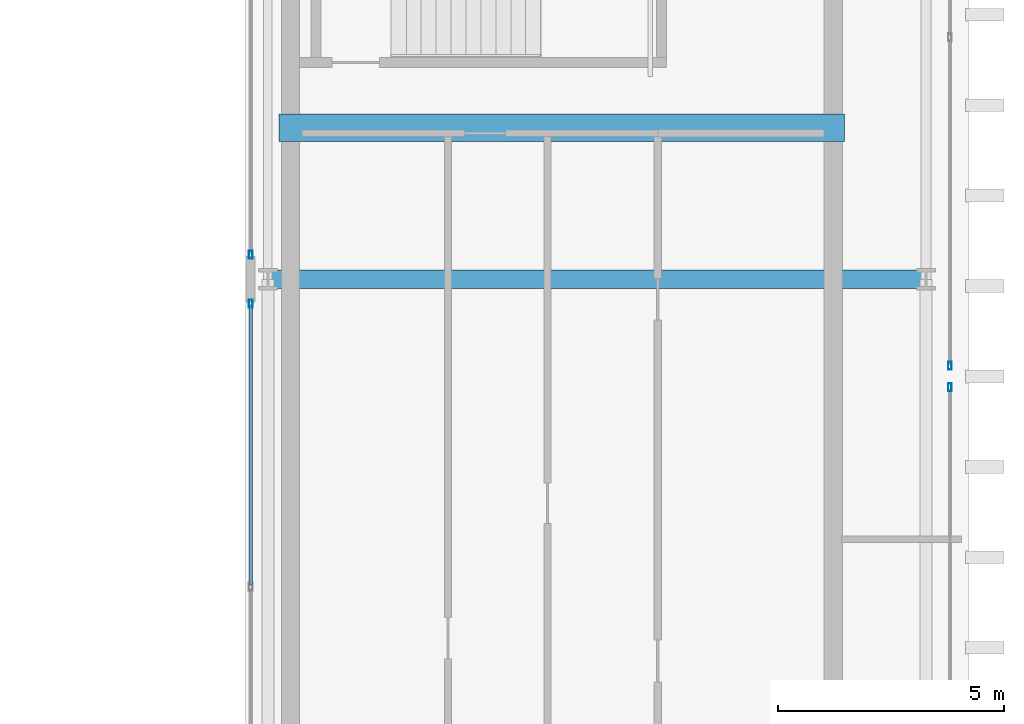
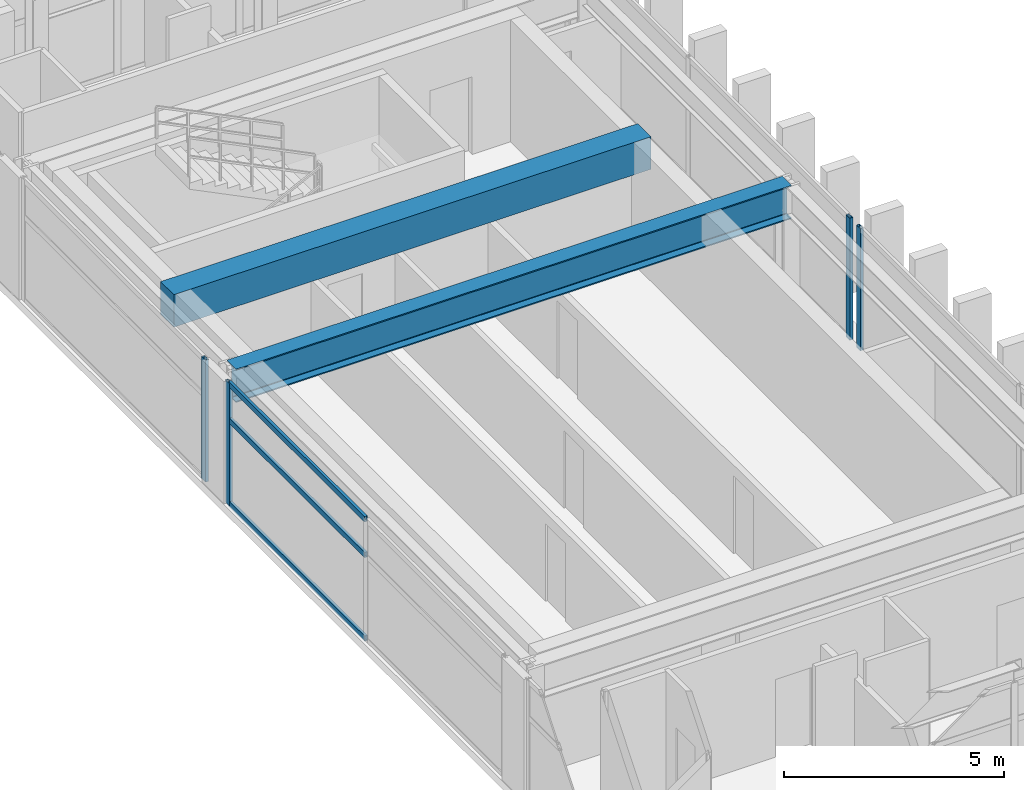
# One storey, part 11 of 25: 7 members, 2 beams, 4 elements without a shape of their own.
"""IFC4 building model written with IfcOpenShell, lengths in metres."""

from ifc_helpers import new_model, si_unit, direction, frame, origin, origin_2d, place, context, subcontext, project, spatial, rectangle, hollow_rectangle, i_section, extrude, source, transform, mapped, material, layer, layer_set, material_profile, profile_set, type_object, element, aggregate, save


model = new_model("IFC4")

# Units and contexts
model_context = context("Model", 3, precision=1e-05, world=origin(), true_north=direction((0.0, 1.0)))
body_context = subcontext(model_context, "Body", "Model", "MODEL_VIEW")
ifc_project = project(units=[si_unit("LENGTHUNIT", "METRE"), si_unit("AREAUNIT", "SQUARE_METRE"), si_unit("VOLUMEUNIT", "CUBIC_METRE"), si_unit("PLANEANGLEUNIT", "RADIAN"), si_unit("MASSUNIT", "GRAM", prefix="KILO")], contexts=[model_context])

# Site, building, storey
site_placement = place(None, origin())
site = spatial("IfcSite", under=ifc_project, at=site_placement, CompositionType="ELEMENT")
building_placement = place(site_placement, origin())
building = spatial("IfcBuilding", under=site, at=building_placement, Name="Ocotamira Hotel", CompositionType="ELEMENT")
storey_placement = place(building_placement, frame((0.0, 0.0, 254.39990234375)))
storey = spatial("IfcBuildingStorey", under=building, at=storey_placement, Name="L64", CompositionType="ELEMENT", Elevation=254.39990234375)

# Beams
ifc_material_1 = material(Name="Concrete C50/60", Category="concrete")
ifc_material_profile_1 = material_profile(ifc_material_1, rectangle(XDim=0.60009765625, YDim=0.89990234375, at=origin_2d()), Name="RC600X900")
ifc_profile_set_1 = profile_set([ifc_material_profile_1], Name="Concrete C50/60")
beam_type_1 = type_object("IfcBeamType", Name="BM-LINK-RC600", PredefinedType="LINTEL", material=ifc_profile_set_1)
shared_shape_1 = source(origin(), body_context, "Body", "SweptSolid", [
    extrude(rectangle(XDim=0.60009765625, YDim=0.89990234375, at=origin_2d()), origin(), (0.0, 0.0, 1.0), 12.5),
])
beam_1_placement = place(storey_placement, frame((40.75, 31.5, 2.93017578125), z_axis=(1.0, 0.0, 0.0), x_axis=(0.0, 1.0, 0.0)))
element("IfcBeam", 1, at=beam_1_placement, inside=storey, type_object=beam_type_1, Name="L64 East Core Coupling Beam", PredefinedType="LINTEL", context=body_context, shape_type="MappedRepresentation", body=[
    mapped(shared_shape_1, transform((0.0, 0.0, 0.0), scale=1.0)),
])
ifc_material_2 = material(Name="Steel ASTM A992 Grade 50", Category="steel")
ifc_material_profile_2 = material_profile(ifc_material_2, i_section(OverallWidth=0.41796875, OverallDepth=0.927001953125, WebThickness=0.019287109375, FlangeThickness=0.031982421875, FilletRadius=0.02392578125, at=origin_2d()), Name="W36X231")
ifc_profile_set_2 = profile_set([ifc_material_profile_2], Name="Steel ASTM A992 Grade 50")
beam_type_2 = type_object("IfcBeamType", Name="BM-GIRD-W36X231", PredefinedType="BEAM", material=ifc_profile_set_2)
shared_shape_2 = source(origin(), body_context, "Body", "SweptSolid", [
    extrude(i_section(OverallWidth=0.41796875, OverallDepth=0.927001953125, WebThickness=0.019287109375, FlangeThickness=0.031982421875, FilletRadius=0.02392578125, at=origin_2d()), origin(), (0.0, 0.0, 1.0), 14.550048828125),
])
beam_2_placement = place(storey_placement, frame((40.5, 28.14990234375, 2.91650390625), z_axis=(1.0, 0.0, 0.0), x_axis=(0.0, 1.0, 0.0)))
element("IfcBeam", 2, at=beam_2_placement, inside=storey, type_object=beam_type_2, Name="L64 Girder Y28.15 X40.5-55.05", PredefinedType="BEAM", context=body_context, shape_type="MappedRepresentation", body=[
    mapped(shared_shape_2, transform((0.0, 0.0, 0.0), scale=1.0)),
])

# Curtain wall, member
ifc_material_3 = material(Name="Anodised pale-metal aluminium and solar glass", Category="aluminium")
ifc_layer = layer(ifc_material_3, 0.2099609375)
ifc_layer_set = layer_set([ifc_layer], Name="Anodised pale-metal aluminium and solar glass")
curtain_wall_type = type_object("IfcCurtainWallType", Name="CW-SYS7-PEAK", PredefinedType="NOTDEFINED", material=ifc_layer_set)
curtain_wall_1_placement = place(storey_placement, origin())
curtain_wall_1 = element("IfcCurtainWall", 3, at=curtain_wall_1_placement, inside=storey, type_object=curtain_wall_type, Name="L64 Curtain Wall CW-7 CW-L64-EO1", PredefinedType="NOTDEFINED")
ifc_material_4 = material(Name="Anodised pale-metal aluminium 6063-T6", Category="aluminium")
ifc_material_profile_3 = material_profile(ifc_material_4, hollow_rectangle(XDim=0.080078125, YDim=0.179931640625, WallThickness=0.006103515625, at=origin_2d()), Name="HSS180X80X6")
ifc_profile_set_3 = profile_set([ifc_material_profile_3], Name="Anodised pale-metal aluminium 6063-T6")
member_type_1 = type_object("IfcMemberType", Name="CWM-180X75", PredefinedType="MULLION", material=ifc_profile_set_3)
shared_shape_3 = source(origin(), body_context, "Body", "SweptSolid", [
    extrude(hollow_rectangle(XDim=0.080078125, YDim=0.179931640625, WallThickness=0.006103515625, at=origin_2d()), origin(), (0.0, 0.0, 1.0), 3.380126953125),
])
member_1_placement = place(storey_placement, frame((55.580078125, 25.760009765625, 0.0), z_axis=(0.0, 0.0, 1.0), x_axis=(-1.0, 0.0, 0.0)))
member_1 = element("IfcMember", 4, at=member_1_placement, type_object=member_type_1, Name="CW-7 mullion 3", PredefinedType="MULLION", context=body_context, shape_type="MappedRepresentation", body=[
    mapped(shared_shape_3, transform((0.0, 0.0, 0.0), scale=1.0)),
])
aggregate(curtain_wall_1, [member_1])

curtain_wall_2_placement = place(storey_placement, origin())
curtain_wall_2 = element("IfcCurtainWall", 5, at=curtain_wall_2_placement, inside=storey, type_object=curtain_wall_type, Name="L64 Curtain Wall CW-7 CW-L64-EO2", PredefinedType="NOTDEFINED")
member_2_placement = place(storey_placement, frame((55.580078125, 26.239990234375, 0.0), z_axis=(0.0, 0.0, 1.0), x_axis=(-1.0, 0.0, 0.0)))
member_2 = element("IfcMember", 6, at=member_2_placement, type_object=member_type_1, Name="CW-7 mullion 1", PredefinedType="MULLION", context=body_context, shape_type="MappedRepresentation", body=[
    mapped(shared_shape_3, transform((0.0, 0.0, 0.0), scale=1.0)),
])
aggregate(curtain_wall_2, [member_2])

curtain_wall_3_placement = place(storey_placement, origin())
curtain_wall_3 = element("IfcCurtainWall", 7, at=curtain_wall_3_placement, inside=storey, type_object=curtain_wall_type, Name="L64 Curtain Wall CW-7 CW-L64-EI2", PredefinedType="NOTDEFINED")
member_3_placement = place(storey_placement, frame((40.1201171875, 27.610107421875, 0.0), z_axis=(0.0, 0.0, 1.0), x_axis=(-1.0, 0.0, 0.0)))
member_3 = element("IfcMember", 8, at=member_3_placement, type_object=member_type_1, Name="CW-7 mullion 3", PredefinedType="MULLION", context=body_context, shape_type="MappedRepresentation", body=[
    mapped(shared_shape_3, transform((0.0, 0.0, 0.0), scale=1.0)),
])

curtain_wall_4_placement = place(storey_placement, origin())
curtain_wall_4 = element("IfcCurtainWall", 9, at=curtain_wall_4_placement, inside=storey, type_object=curtain_wall_type, Name="L64 Curtain Wall CW-7 CW-L64-EI3", PredefinedType="NOTDEFINED")
member_4_placement = place(storey_placement, frame((40.1201171875, 28.68994140625, 0.0), z_axis=(0.0, 0.0, 1.0), x_axis=(-1.0, 0.0, 0.0)))
member_4 = element("IfcMember", 10, at=member_4_placement, type_object=member_type_1, Name="CW-7 mullion 1", PredefinedType="MULLION", context=body_context, shape_type="MappedRepresentation", body=[
    mapped(shared_shape_3, transform((0.0, 0.0, 0.0), scale=1.0)),
])
aggregate(curtain_wall_4, [member_4])

# Member
ifc_material_profile_4 = material_profile(ifc_material_4, hollow_rectangle(XDim=0.074951171875, YDim=0.14990234375, WallThickness=0.006103515625, at=origin_2d()), Name="HSS150X75X6")
ifc_profile_set_4 = profile_set([ifc_material_profile_4], Name="Anodised pale-metal aluminium 6063-T6")
member_type_2 = type_object("IfcMemberType", Name="CWT-150X75", PredefinedType="USERDEFINED", material=ifc_profile_set_4)
shared_shape_4 = source(origin(), body_context, "Body", "SweptSolid", [
    extrude(hollow_rectangle(XDim=0.074951171875, YDim=0.14990234375, WallThickness=0.006103515625, at=origin_2d()), origin(), (0.0, 0.0, 1.0), 6.18017578125),
])
member_5_placement = place(storey_placement, frame((40.1201171875, 21.389892578125, 0.03759765625), z_axis=(0.0, 1.0, 0.0), x_axis=(-1.0, 0.0, 0.0)))
member_5 = element("IfcMember", 11, at=member_5_placement, type_object=member_type_2, Name="CW-7 transom 2.1", ObjectType="TRANSOM", PredefinedType="USERDEFINED", context=body_context, shape_type="MappedRepresentation", body=[
    mapped(shared_shape_4, transform((0.0, 0.0, 0.0), scale=1.0)),
])

member_6_placement = place(storey_placement, frame((40.1201171875, 21.389892578125, 2.35009765625), z_axis=(0.0, 1.0, 0.0), x_axis=(-1.0, 0.0, 0.0)))
member_6 = element("IfcMember", 12, at=member_6_placement, type_object=member_type_2, Name="CW-7 transom 2.2", ObjectType="TRANSOM", PredefinedType="USERDEFINED", context=body_context, shape_type="MappedRepresentation", body=[
    mapped(shared_shape_4, transform((0.0, 0.0, 0.0), scale=1.0)),
])

member_7_placement = place(storey_placement, frame((40.1201171875, 21.389892578125, 3.342529296875), z_axis=(0.0, 1.0, 0.0), x_axis=(-1.0, 0.0, 0.0)))
member_7 = element("IfcMember", 13, at=member_7_placement, type_object=member_type_2, Name="CW-7 transom 2.3", ObjectType="TRANSOM", PredefinedType="USERDEFINED", context=body_context, shape_type="MappedRepresentation", body=[
    mapped(shared_shape_4, transform((0.0, 0.0, 0.0), scale=1.0)),
])

aggregate(curtain_wall_3, [member_3, member_5, member_6, member_7])

save(model, "model.ifc")
